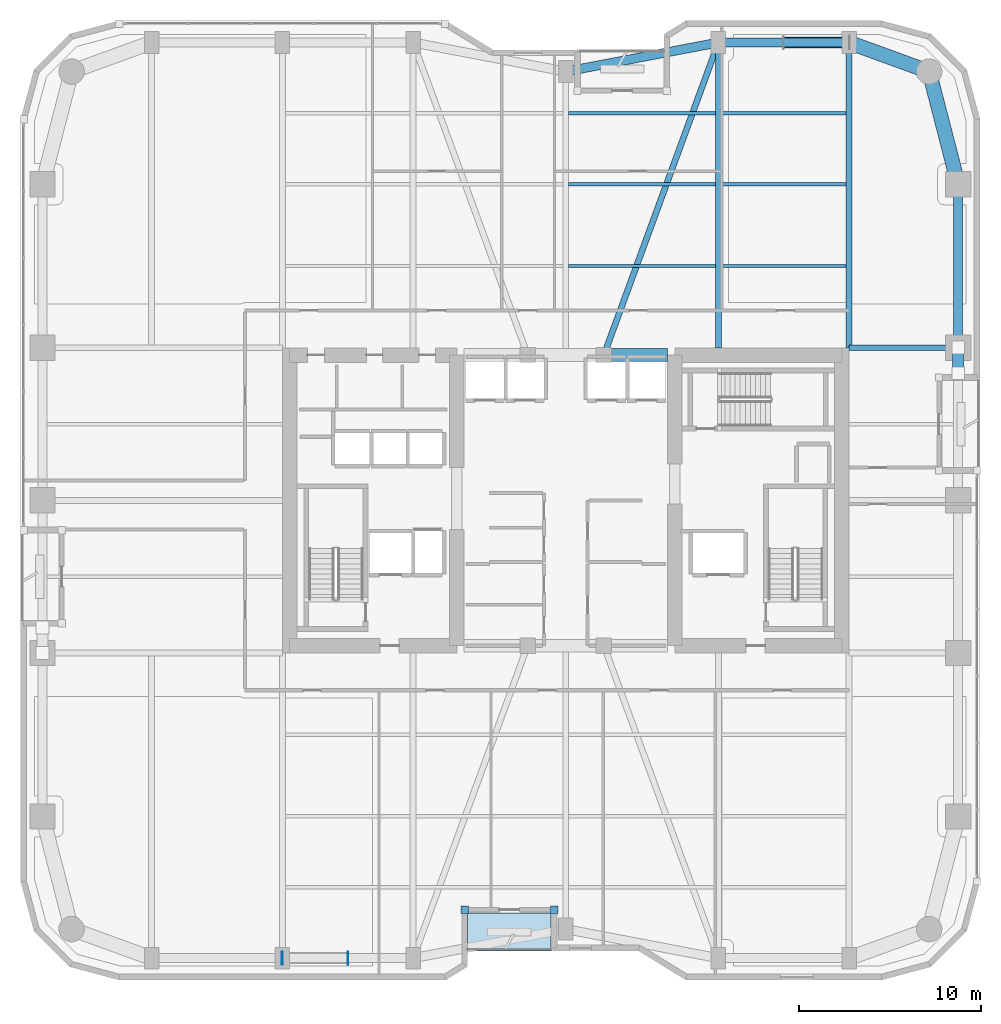
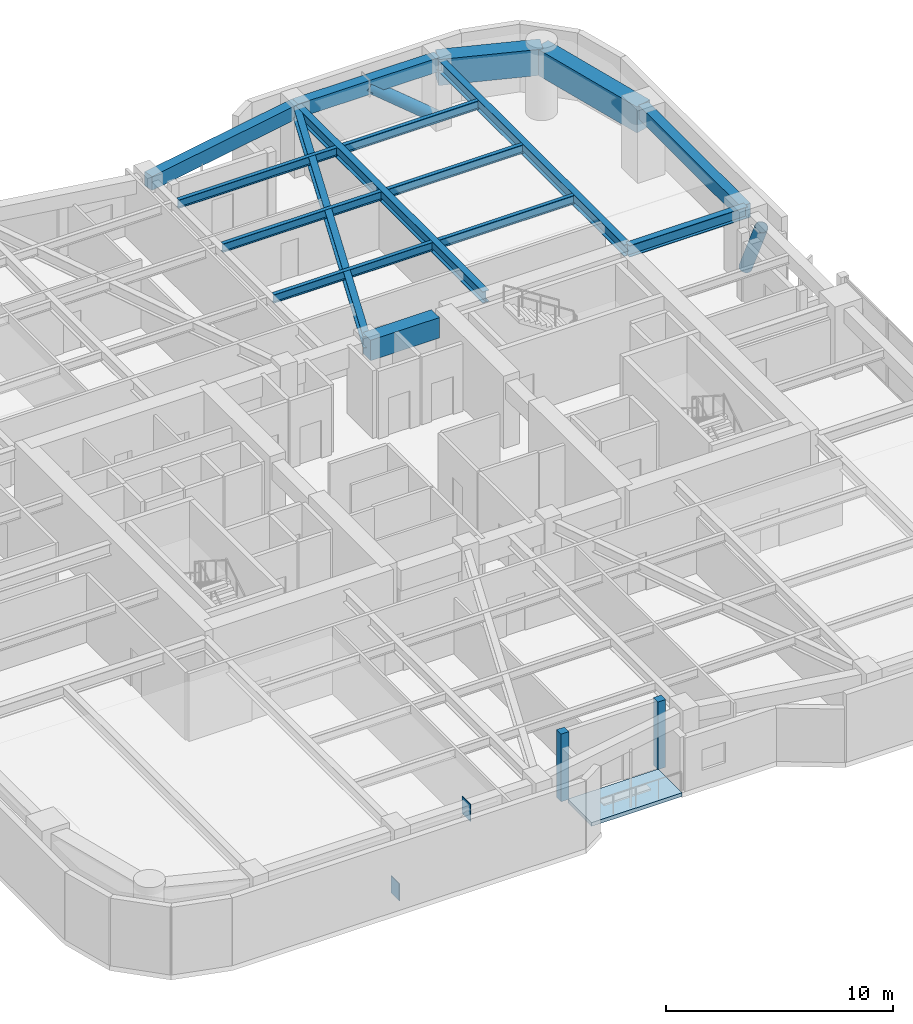
# One storey, part 15 of 24: 16 beams, 4 plates, 2 members, 1 slab.
"""IFC4 building model written with IfcOpenShell, lengths in metres."""

from ifc_helpers import new_model, si_unit, direction, frame, origin, origin_2d, place, context, subcontext, project, spatial, polyline, rectangle, hollow_circle, i_section, outline, extrude, material, layer, layer_set, material_profile, profile_set, type_object, element, save


model = new_model("IFC4")

# Units and contexts
model_context = context("Model", 3, precision=1e-05, world=origin(), true_north=direction((0.0, 1.0)))
body_context = subcontext(model_context, "Body", "Model", "MODEL_VIEW")
ifc_project = project(units=[si_unit("LENGTHUNIT", "METRE"), si_unit("AREAUNIT", "SQUARE_METRE"), si_unit("VOLUMEUNIT", "CUBIC_METRE"), si_unit("PLANEANGLEUNIT", "RADIAN"), si_unit("MASSUNIT", "GRAM", prefix="KILO")], contexts=[model_context])

# Site, building, storey
site_placement = place(None, origin())
site = spatial("IfcSite", under=ifc_project, at=site_placement, CompositionType="ELEMENT")
building_placement = place(site_placement, origin())
building = spatial("IfcBuilding", under=site, at=building_placement, Name="Kiyonajd Concourse Tower", CompositionType="ELEMENT")
storey_placement = place(building_placement, frame((0.0, 0.0, 133.800048828125)))
storey = spatial("IfcBuildingStorey", under=building, at=storey_placement, Name="L34", CompositionType="ELEMENT", Elevation=133.800048828125)

# Beams
ifc_material_1 = material(Name="Concrete C70/85", Category="concrete")
ifc_material_profile_1 = material_profile(ifc_material_1, rectangle(XDim=0.699951171875, YDim=1.10009765625, at=origin_2d()), Name="RCBM-700x1100")
ifc_profile_set_1 = profile_set([ifc_material_profile_1], Name="Concrete C70/85")
beam_type_1 = type_object("IfcBeamType", Name="BM-COUP-1100", PredefinedType="LINTEL", material=ifc_profile_set_1)
beam_1_placement = place(storey_placement, frame((50.10009765625, 44.0, 3.08984375), z_axis=(1.0, 0.0, 0.0), x_axis=(0.0, 1.0, 0.0)))
element("IfcBeam", 1, at=beam_1_placement, inside=storey, type_object=beam_type_1, Name="L34 Core Coupling Beam N3", PredefinedType="LINTEL", context=body_context, shape_type="SweptSolid", body=[
    extrude(rectangle(XDim=0.699951171875, YDim=1.10009765625, at=origin_2d()), origin(), (0.0, 0.0, 1.0), 3.5),
])
ifc_material_2 = material(Name="Steel ASTM A992 Grade 50", Category="steel")
ifc_material_profile_2 = material_profile(ifc_material_2, i_section(OverallWidth=0.19189453125, OverallDepth=0.462890625, WebThickness=0.010498046875, FlangeThickness=0.017578125, at=origin_2d()), Name="W460X89")
ifc_profile_set_2 = profile_set([ifc_material_profile_2], Name="Steel ASTM A992 Grade 50")
beam_type_2 = type_object("IfcBeamType", Name="BM-JST-460B", PredefinedType="JOIST", material=ifc_profile_set_2)
beam_2_placement = place(storey_placement, frame((48.16357421875, 48.89990234375, 3.408447265625), z_axis=(1.0, 0.0, 0.0), x_axis=(0.0, 1.0, 0.0)))
element("IfcBeam", 2, at=beam_2_placement, inside=storey, type_object=beam_type_2, Name="L34 Secondary Floor Joist", PredefinedType="JOIST", context=body_context, shape_type="SweptSolid", body=[
    extrude(i_section(OverallWidth=0.19189453125, OverallDepth=0.462890625, WebThickness=0.010498046875, FlangeThickness=0.017578125, at=origin_2d()), origin(), (0.0, 0.0, 1.0), 8.072998046875),
])
beam_3_placement = place(storey_placement, frame((56.5634765625, 48.89990234375, 3.408447265625), z_axis=(1.0, 0.0, 0.0), x_axis=(0.0, 1.0, 0.0)))
element("IfcBeam", 3, at=beam_3_placement, inside=storey, type_object=beam_type_2, Name="L34 Secondary Floor Joist", PredefinedType="JOIST", context=body_context, shape_type="SweptSolid", body=[
    extrude(i_section(OverallWidth=0.19189453125, OverallDepth=0.462890625, WebThickness=0.010498046875, FlangeThickness=0.017578125, at=origin_2d()), origin(), (0.0, 0.0, 1.0), 6.873046875),
])
beam_4_placement = place(storey_placement, frame((48.16357421875, 53.39990234375, 3.408447265625), z_axis=(1.0, 0.0, 0.0), x_axis=(0.0, 1.0, 0.0)))
element("IfcBeam", 4, at=beam_4_placement, inside=storey, type_object=beam_type_2, Name="L34 Secondary Floor Joist", PredefinedType="JOIST", context=body_context, shape_type="SweptSolid", body=[
    extrude(i_section(OverallWidth=0.19189453125, OverallDepth=0.462890625, WebThickness=0.010498046875, FlangeThickness=0.017578125, at=origin_2d()), origin(), (0.0, 0.0, 1.0), 8.072998046875),
])
beam_5_placement = place(storey_placement, frame((56.5634765625, 53.39990234375, 3.408447265625), z_axis=(1.0, 0.0, 0.0), x_axis=(0.0, 1.0, 0.0)))
element("IfcBeam", 5, at=beam_5_placement, inside=storey, type_object=beam_type_2, Name="L34 Secondary Floor Joist", PredefinedType="JOIST", context=body_context, shape_type="SweptSolid", body=[
    extrude(i_section(OverallWidth=0.19189453125, OverallDepth=0.462890625, WebThickness=0.010498046875, FlangeThickness=0.017578125, at=origin_2d()), origin(), (0.0, 0.0, 1.0), 6.873046875),
])
beam_6_placement = place(storey_placement, frame((48.16357421875, 57.300048828125, 3.408447265625), z_axis=(1.0, 0.0, 0.0), x_axis=(0.0, 1.0, 0.0)))
element("IfcBeam", 6, at=beam_6_placement, inside=storey, type_object=beam_type_2, Name="L34 Secondary Floor Joist", PredefinedType="JOIST", context=body_context, shape_type="SweptSolid", body=[
    extrude(i_section(OverallWidth=0.19189453125, OverallDepth=0.462890625, WebThickness=0.010498046875, FlangeThickness=0.017578125, at=origin_2d()), origin(), (0.0, 0.0, 1.0), 8.072998046875),
])
beam_7_placement = place(storey_placement, frame((56.5634765625, 57.300048828125, 3.408447265625), z_axis=(1.0, 0.0, 0.0), x_axis=(0.0, 1.0, 0.0)))
element("IfcBeam", 7, at=beam_7_placement, inside=storey, type_object=beam_type_2, Name="L34 Secondary Floor Joist", PredefinedType="JOIST", context=body_context, shape_type="SweptSolid", body=[
    extrude(i_section(OverallWidth=0.19189453125, OverallDepth=0.462890625, WebThickness=0.010498046875, FlangeThickness=0.017578125, at=origin_2d()), origin(), (0.0, 0.0, 1.0), 6.873046875),
])
ifc_material_3 = material(Name="Precast concrete C50/60", Category="concrete")
ifc_material_profile_3 = material_profile(ifc_material_3, rectangle(XDim=0.5, YDim=0.75, at=origin_2d()), Name="RCBM-500x750")
ifc_profile_set_3 = profile_set([ifc_material_profile_3], Name="Precast concrete C50/60")
beam_type_3 = type_object("IfcBeamType", Name="BM-SPAN-RC", PredefinedType="SPANDREL", material=ifc_profile_set_3)
beam_8_placement = place(storey_placement, frame((69.60009765625, 44.39990234375, 3.264892578125), z_axis=(0.0, 1.0, 0.0), x_axis=(-1.0, 0.0, 0.0)))
element("IfcBeam", 8, at=beam_8_placement, inside=storey, type_object=beam_type_3, Name="L34 Perimeter Bundled Tube Spandrel", PredefinedType="SPANDREL", context=body_context, shape_type="SweptSolid", body=[
    extrude(rectangle(XDim=0.5, YDim=0.75, at=origin_2d()), origin(), (0.0, 0.0, 1.0), 9.0),
])
beam_9_placement = place(storey_placement, frame((63.60009765625, 61.199951171875, 3.264892578125), z_axis=(-1.0, 0.0, 0.0), x_axis=(0.0, -1.0, 0.0)))
element("IfcBeam", 9, at=beam_9_placement, inside=storey, type_object=beam_type_3, Name="L34 Perimeter Bundled Tube Spandrel", PredefinedType="SPANDREL", context=body_context, shape_type="SweptSolid", body=[
    extrude(rectangle(XDim=0.5, YDim=0.75, at=origin_2d()), origin(), (0.0, 0.0, 1.0), 7.2001953125),
])
beam_10_placement = place(storey_placement, frame((56.39990234375, 61.199951171875, 3.264892578125), z_axis=(-0.982341315253, -0.187097675953, 0.0), x_axis=(0.187097675953, -0.982341315253, 0.0)))
element("IfcBeam", 10, at=beam_10_placement, inside=storey, type_object=beam_type_3, Name="L34 Perimeter Bundled Tube Spandrel", PredefinedType="SPANDREL", context=body_context, shape_type="SweptSolid", body=[
    extrude(rectangle(XDim=0.5, YDim=0.75, at=origin_2d()), origin(), (0.0, 0.0, 1.0), 8.55078125),
])
ifc_material_profile_4 = material_profile(ifc_material_2, i_section(OverallWidth=0.326904296875, OverallDepth=0.6220703125, WebThickness=0.015380859375, FlangeThickness=0.0244140625, at=origin_2d()), Name="W610X195")
ifc_profile_set_4 = profile_set([ifc_material_profile_4], Name="Steel ASTM A992 Grade 50")
beam_type_4 = type_object("IfcBeamType", Name="BM-TWR-610A", PredefinedType="BEAM", material=ifc_profile_set_4)
beam_11_placement = place(storey_placement, frame((50.10009765625, 44.0, 3.328857421875), z_axis=(0.343925269715, 0.938997022813, 0.0), x_axis=(-0.938997022813, 0.343925269715, 0.0)))
element("IfcBeam", 11, at=beam_11_placement, inside=storey, type_object=beam_type_4, Name="L34 Core Tie Girder", PredefinedType="BEAM", context=body_context, shape_type="SweptSolid", body=[
    extrude(i_section(OverallWidth=0.326904296875, OverallDepth=0.6220703125, WebThickness=0.015380859375, FlangeThickness=0.0244140625, at=origin_2d()), origin(), (0.0, 0.0, 1.0), 18.3173828125),
])
for number, where, z_axis, x_axis, name in (
    (12, (56.39990234375, 44.39990234375, 3.328857421875), (0.0, 1.0, 0.0), (-1.0, 0.0, 0.0), "L34 North Lease Girder"),
    (13, (63.60009765625, 44.39990234375, 3.328857421875), (0.0, 1.0, 0.0), (-1.0, 0.0, 0.0), "L34 North Lease Girder"),
):
    element("IfcBeam", number, at=place(storey_placement, frame(where, z_axis=z_axis, x_axis=x_axis)), inside=storey, type_object=beam_type_4, Name=name, PredefinedType="BEAM", context=body_context, shape_type="SweptSolid", body=[
        extrude(i_section(OverallWidth=0.326904296875, OverallDepth=0.6220703125, WebThickness=0.015380859375, FlangeThickness=0.0244140625, at=origin_2d()), origin(), (0.0, 0.0, 1.0), 16.800048828125),
    ])
beam_12_placement = place(storey_placement, frame((63.60009765625, 44.39990234375, 3.328857421875), z_axis=(1.0, 0.0, 0.0), x_axis=(0.0, 1.0, 0.0)))
element("IfcBeam", 14, at=beam_12_placement, inside=storey, type_object=beam_type_4, Name="L34 East Lease Girder", PredefinedType="BEAM", context=body_context, shape_type="SweptSolid", body=[
    extrude(i_section(OverallWidth=0.326904296875, OverallDepth=0.6220703125, WebThickness=0.015380859375, FlangeThickness=0.0244140625, at=origin_2d()), origin(), (0.0, 0.0, 1.0), 6.0),
])
ifc_material_4 = material(Name="Concrete C60/75", Category="concrete")
ifc_material_profile_5 = material_profile(ifc_material_4, rectangle(XDim=0.800048828125, YDim=1.39990234375, at=origin_2d()), Name="RCBM-800x1400")
ifc_profile_set_5 = profile_set([ifc_material_profile_5], Name="Concrete C60/75")
beam_type_5 = type_object("IfcBeamType", Name="BM-XFER-RC", PredefinedType="BEAM", material=ifc_profile_set_5)
beam_13_placement = place(storey_placement, frame((69.60009765625, 53.39990234375, 2.93994140625), z_axis=(-0.249884937687, 0.968275538221, 0.0), x_axis=(-0.968275538221, -0.249884937687, 0.0)))
element("IfcBeam", 15, at=beam_13_placement, inside=storey, type_object=beam_type_5, Name="L34 Perimeter Bundled Tube Spandrel", PredefinedType="BEAM", context=body_context, shape_type="SweptSolid", body=[
    extrude(rectangle(XDim=0.800048828125, YDim=1.39990234375, at=origin_2d()), origin(), (0.0, 0.0, 1.0), 6.4033203125),
])
beam_14_placement = place(storey_placement, frame((68.0, 59.60009765625, 2.93994140625), z_axis=(-0.939801036019, 0.341722127901, 0.0), x_axis=(-0.341722127901, -0.939801036019, 0.0)))
element("IfcBeam", 16, at=beam_14_placement, inside=storey, type_object=beam_type_5, Name="L34 Perimeter Bundled Tube Spandrel", PredefinedType="BEAM", context=body_context, shape_type="SweptSolid", body=[
    extrude(rectangle(XDim=0.800048828125, YDim=1.39990234375, at=origin_2d()), origin(), (0.0, 0.0, 1.0), 4.681640625),
])

# Members
ifc_material_5 = material(Name="Steel ASTM A572 Grade 50", Category="steel")
ifc_material_profile_6 = material_profile(ifc_material_5, hollow_circle(Radius=0.304931640625, WallThickness=0.02490234375, at=origin_2d()), Name="CHS-610x25")
ifc_profile_set_6 = profile_set([ifc_material_profile_6], Name="Steel ASTM A572 Grade 50")
member_type = type_object("IfcMemberType", Name="MB-PB-LOW", PredefinedType="BRACE", material=ifc_profile_set_6)
member_1_placement = place(storey_placement, frame((63.60009765625, 61.199951171875, 0.300048828125), z_axis=(-0.769280705518, 0.0, 0.638910945373), x_axis=(0.0, -1.0, 0.0)))
element("IfcMember", 17, at=member_1_placement, inside=storey, type_object=member_type, Name="L34 Lower Zone Welded Tube Brace PBN", PredefinedType="BRACE", context=body_context, shape_type="SweptSolid", body=[
    extrude(hollow_circle(Radius=0.304931640625, WallThickness=0.02490234375, at=origin_2d()), origin(), (0.0, 0.0, 1.0), 4.679931640625),
])
member_2_placement = place(storey_placement, frame((69.60009765625, 44.39990234375, 0.300048828125), z_axis=(0.0, -0.424022702926, 0.905651559598), x_axis=(1.0, 0.0, 0.0)))
element("IfcMember", 18, at=member_2_placement, inside=storey, type_object=member_type, Name="L34 Lower Zone Welded Tube Brace PBE", PredefinedType="BRACE", context=body_context, shape_type="SweptSolid", body=[
    extrude(hollow_circle(Radius=0.304931640625, WallThickness=0.02490234375, at=origin_2d()), origin(), (0.0, 0.0, 1.0), 3.301513671875),
])

# Plates
ifc_layer_1 = layer(ifc_material_5, 0.028076171875)
ifc_layer_set_1 = layer_set([ifc_layer_1], Name="Steel ASTM A572 Grade 50")
plate_type_1 = type_object("IfcPlateType", Name="PL-CAP-450", PredefinedType="USERDEFINED", material=ifc_layer_set_1)
for number, where, z_axis, x_axis, name in (
    (19, (32.3916015625, 10.800048828125, -0.173583984375), (0.0, 0.0, 1.0), (-1.0, 0.0, 0.0), "L34 Hollow Brace End Cap Plate PBS"),
    (20, (36.008544921875, 10.800048828125, 2.830322265625), (0.0, 0.0, 1.0), (1.0, 0.0, 0.0), "L34 Hollow Brace Top Cap Plate PBS"),
):
    element("IfcPlate", number, at=place(storey_placement, frame(where, z_axis=z_axis, x_axis=x_axis)), inside=storey, type_object=plate_type_1, Name=name, ObjectType="CAP PLATE", PredefinedType="USERDEFINED", context=body_context, shape_type="SweptSolid", body=[
        extrude(rectangle(XDim=0.035888671875, YDim=0.72998046875, at=origin_2d()), origin(), (0.0, 0.0, 1.0), 0.93310546875),
    ])
ifc_material_6 = material(Name="Thermally Broken Anodised Aluminium", Category="aluminium")
ifc_layer_2 = layer(ifc_material_6, 0.39990234375)
ifc_layer_set_2 = layer_set([ifc_layer_2], Name="Thermally Broken Anodised Aluminium")
plate_type_2 = type_object("IfcPlateType", Name="PL-JMB-400", PredefinedType="USERDEFINED", material=ifc_layer_set_2)
for number, where, z_axis, x_axis, name in (
    (21, (47.360107421875, 13.4599609375, 0.0), (0.0, 0.0, 1.0), (1.0, 0.0, 0.0), "L34 Facade Jamb Closure Plate 13"),
    (22, (42.43994140625, 13.4599609375, 0.0), (0.0, 0.0, 1.0), (1.0, 0.0, 0.0), "L34 Facade Jamb Closure Plate 14"),
):
    element("IfcPlate", number, at=place(storey_placement, frame(where, z_axis=z_axis, x_axis=x_axis)), inside=storey, type_object=plate_type_2, Name=name, ObjectType="JAMB PLATE", PredefinedType="USERDEFINED", context=body_context, shape_type="SweptSolid", body=[
        extrude(rectangle(XDim=0.39990234375, YDim=0.39990234375, at=origin_2d()), origin(), (0.0, 0.0, 1.0), 3.639892578125),
    ])

# Slab
ifc_layer_3 = layer(ifc_material_3, 0.199951171875)
ifc_layer_set_3 = layer_set([ifc_layer_3], Name="Precast concrete C50/60")
slab_type = type_object("IfcSlabType", Name="SL-LOG-200", PredefinedType="FLOOR", material=ifc_layer_set_3)
slab_placement = place(storey_placement, frame((0.0, 0.0, -0.199951171875)))
element("IfcSlab", 23, at=slab_placement, inside=storey, type_object=slab_type, Name="L34 Recessed Engawa Loggia Terrace Slab LOG-S", PredefinedType="FLOOR", context=body_context, shape_type="SweptSolid", body=[
    extrude(outline(polyline([(42.60009765625, 11.199951171875), (47.199951171875, 11.199951171875), (47.199951171875, 13.300048828125), (42.60009765625, 13.300048828125), (42.60009765625, 11.199951171875)])), origin(), (0.0, 0.0, 1.0), 0.199951171875),
])

save(model, "model.ifc")
